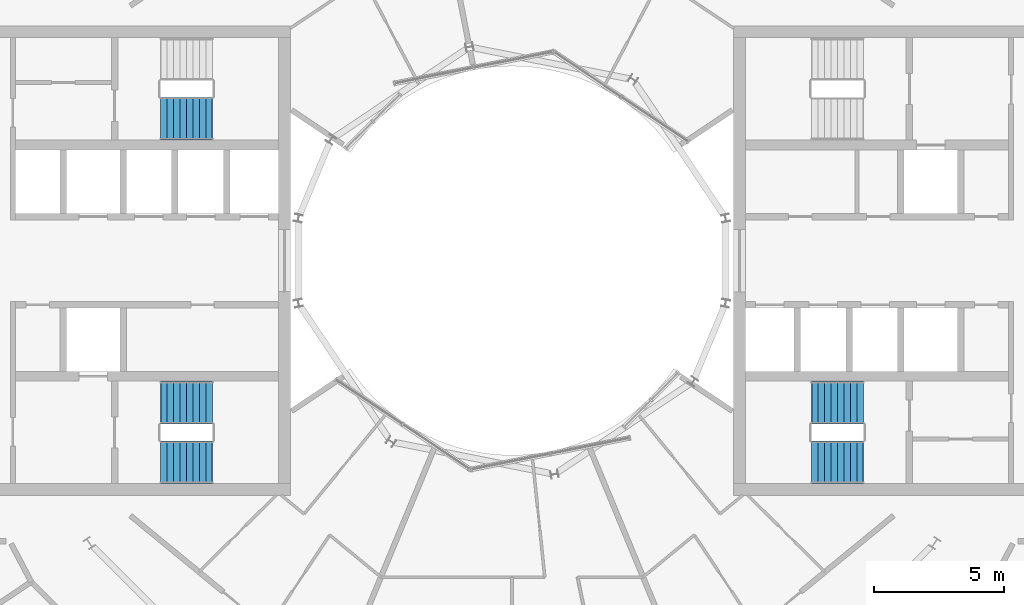
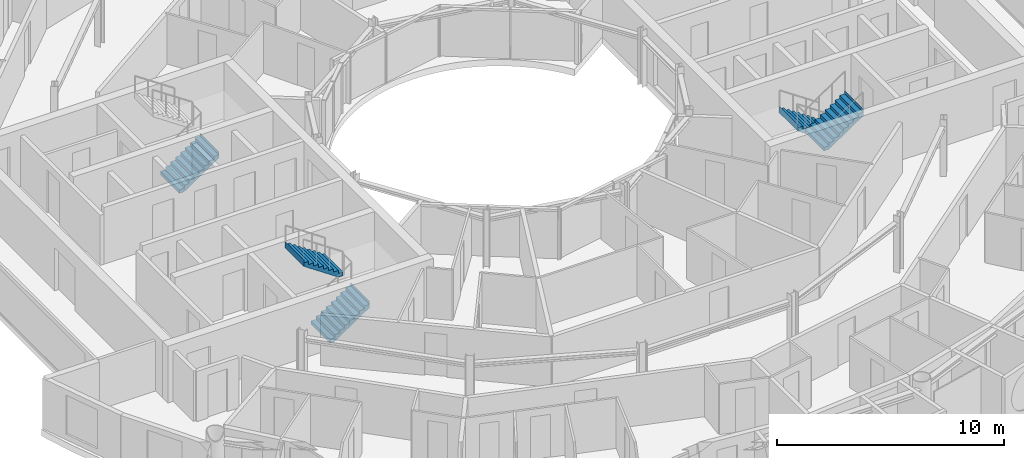
# One storey, part 25 of 28: 5 stair flights, 3 elements without a shape of their own.
"""IFC4 building model written with IfcOpenShell, lengths in metres."""

from ifc_helpers import new_model, si_unit, direction, frame, origin, place, context, subcontext, project, spatial, triangles, material, type_object, element, aggregate, save


model = new_model("IFC4")

# Units and contexts
model_context = context("Model", 3, precision=1e-05, world=origin(), true_north=direction((0.0, 1.0)))
body_context = subcontext(model_context, "Body", "Model", "MODEL_VIEW")
ifc_project = project(units=[si_unit("LENGTHUNIT", "METRE"), si_unit("AREAUNIT", "SQUARE_METRE"), si_unit("VOLUMEUNIT", "CUBIC_METRE"), si_unit("PLANEANGLEUNIT", "RADIAN"), si_unit("MASSUNIT", "GRAM", prefix="KILO")], contexts=[model_context])

# Site, building, storey
site_placement = place(None, origin())
site = spatial("IfcSite", under=ifc_project, at=site_placement, CompositionType="ELEMENT")
building_placement = place(site_placement, origin())
building = spatial("IfcBuilding", under=site, at=building_placement, Name="Maasbend Ring Residences", CompositionType="ELEMENT")
storey_placement = place(building_placement, frame((0.0, 0.0, 196.300048828125)))
storey = spatial("IfcBuildingStorey", under=building, at=storey_placement, Name="L56", CompositionType="ELEMENT", Elevation=196.300048828125)

# Stair, stair flights
ifc_material_1 = material(Name="Concrete C40/50", Category="concrete")
stair_type = type_object("IfcStairType", Name="CORE STAIR 18 RISERS", PredefinedType="HALF_TURN_STAIR", material=ifc_material_1)
stair_1_placement = place(storey_placement, origin())
stair_1 = element("IfcStair", 1, at=stair_1_placement, inside=storey, type_object=stair_type, Name="L56 Exit stair ST-E2", PredefinedType="HALF_TURN_STAIR")
ifc_material_2 = material(Name="Concrete C40/50", Category="concrete")
stair_flight_type = type_object("IfcStairFlightType", Name="CORE STAIR FLIGHT 1650", PredefinedType="STRAIGHT", material=ifc_material_2)
stair_flight_1_placement = place(storey_placement, frame((13.550048828125, -5.47509765625, 0.0), z_axis=(0.0, 0.0, 1.0), x_axis=(-1.0, 0.0, 0.0)))
stair_flight_1 = element("IfcStairFlight", 2, at=stair_flight_1_placement, type_object=stair_flight_type, Name="ST-E2 flight 1", NumberOfRisers=9, NumberOfTreads=8, PredefinedType="STRAIGHT", RiserHeight=0.169444444, TreadLength=0.25, context=body_context, shape_type="Tessellation", body=[
    triangles([(0.24072265625, 0.824951171875, -0.02001953125), (2.0029296875, 0.824951171875, 1.174560546875), (2.0029296875, 0.824951171875, 1.52490234375), (1.989990234375, 0.824951171875, 1.35546875), (1.75, 0.824951171875, 1.35546875), (1.75, 0.824951171875, 1.18603515625), (1.5, 0.824951171875, 1.18603515625), (1.5, 0.824951171875, 1.0166015625), (1.25, 0.824951171875, 1.0166015625), (1.25, 0.824951171875, 0.84716796875), (1.0, 0.824951171875, 0.84716796875), (1.0, 0.824951171875, 0.677734375), (0.75, 0.824951171875, 0.677734375), (0.75, 0.824951171875, 0.50830078125), (0.5, 0.824951171875, 0.50830078125), (0.5, 0.824951171875, 0.3388671875), (0.25, 0.824951171875, 0.3388671875), (0.25, 0.824951171875, 0.16943359375), (0.0, 0.824951171875, 0.16943359375), (0.0, 0.824951171875, 0.0), (-0.0029296875, 0.824951171875, 0.0), (-0.0029296875, 0.824951171875, -0.02001953125), (0.24072265625, 0.27490234375, -0.02001953125), (2.0029296875, 0.27490234375, 1.174560546875), (2.0029296875, 0.27490234375, 1.52490234375), (1.989990234375, 0.27490234375, 1.35546875), (1.75, 0.27490234375, 1.35546875), (1.75, 0.27490234375, 1.18603515625), (1.5, 0.27490234375, 1.18603515625), (1.5, 0.27490234375, 1.0166015625), (1.25, 0.27490234375, 1.0166015625), (1.25, 0.27490234375, 0.84716796875), (1.0, 0.27490234375, 0.84716796875), (1.0, 0.27490234375, 0.677734375), (0.75, 0.27490234375, 0.677734375), (0.75, 0.27490234375, 0.50830078125), (0.5, 0.27490234375, 0.50830078125), (0.5, 0.27490234375, 0.3388671875), (0.25, 0.27490234375, 0.3388671875), (0.25, 0.27490234375, 0.16943359375), (0.0, 0.27490234375, 0.16943359375), (0.0, 0.27490234375, 0.0), (-0.0029296875, 0.27490234375, 0.0), (-0.0029296875, 0.27490234375, -0.02001953125), (0.24072265625, -0.27490234375, -0.02001953125), (2.0029296875, -0.27490234375, 1.174560546875), (2.0029296875, -0.27490234375, 1.52490234375), (1.989990234375, -0.27490234375, 1.35546875), (1.75, -0.27490234375, 1.35546875), (1.75, -0.27490234375, 1.18603515625), (1.5, -0.27490234375, 1.18603515625), (1.5, -0.27490234375, 1.0166015625), (1.25, -0.27490234375, 1.0166015625), (1.25, -0.27490234375, 0.84716796875), (1.0, -0.27490234375, 0.84716796875), (1.0, -0.27490234375, 0.677734375), (0.75, -0.27490234375, 0.677734375), (0.75, -0.27490234375, 0.50830078125), (0.5, -0.27490234375, 0.50830078125), (0.5, -0.27490234375, 0.3388671875), (0.25, -0.27490234375, 0.3388671875), (0.25, -0.27490234375, 0.16943359375), (0.0, -0.27490234375, 0.16943359375), (0.0, -0.27490234375, 0.0), (-0.0029296875, -0.27490234375, 0.0), (-0.0029296875, -0.27490234375, -0.02001953125), (0.24072265625, -0.824951171875, -0.02001953125), (2.0029296875, -0.824951171875, 1.174560546875), (2.0029296875, -0.824951171875, 1.52490234375), (1.989990234375, -0.824951171875, 1.35546875), (1.75, -0.824951171875, 1.35546875), (1.75, -0.824951171875, 1.18603515625), (1.5, -0.824951171875, 1.18603515625), (1.5, -0.824951171875, 1.0166015625), (1.25, -0.824951171875, 1.0166015625), (1.25, -0.824951171875, 0.84716796875), (1.0, -0.824951171875, 0.84716796875), (1.0, -0.824951171875, 0.677734375), (0.75, -0.824951171875, 0.677734375), (0.75, -0.824951171875, 0.50830078125), (0.5, -0.824951171875, 0.50830078125), (0.5, -0.824951171875, 0.3388671875), (0.25, -0.824951171875, 0.3388671875), (0.25, -0.824951171875, 0.16943359375), (0.0, -0.824951171875, 0.16943359375), (0.0, -0.824951171875, 0.0), (-0.0029296875, -0.824951171875, 0.0), (-0.0029296875, -0.824951171875, -0.02001953125)], [[1, 2, 24], [1, 24, 23], [23, 24, 46], [23, 46, 45], [45, 46, 68], [45, 68, 67], [2, 3, 25], [2, 25, 24], [24, 25, 47], [24, 47, 46], [46, 47, 69], [46, 69, 68], [3, 4, 26], [3, 26, 25], [25, 26, 48], [25, 48, 47], [47, 48, 70], [47, 70, 69], [4, 5, 27], [4, 27, 26], [26, 27, 49], [26, 49, 48], [48, 49, 71], [48, 71, 70], [5, 6, 28], [5, 28, 27], [27, 28, 50], [27, 50, 49], [49, 50, 72], [49, 72, 71], [6, 7, 29], [6, 29, 28], [28, 29, 51], [28, 51, 50], [50, 51, 73], [50, 73, 72], [7, 8, 30], [7, 30, 29], [29, 30, 52], [29, 52, 51], [51, 52, 74], [51, 74, 73], [8, 9, 31], [8, 31, 30], [30, 31, 53], [30, 53, 52], [52, 53, 75], [52, 75, 74], [9, 10, 32], [9, 32, 31], [31, 32, 54], [31, 54, 53], [53, 54, 76], [53, 76, 75], [10, 11, 33], [10, 33, 32], [32, 33, 55], [32, 55, 54], [54, 55, 77], [54, 77, 76], [11, 12, 34], [11, 34, 33], [33, 34, 56], [33, 56, 55], [55, 56, 78], [55, 78, 77], [12, 13, 35], [12, 35, 34], [34, 35, 57], [34, 57, 56], [56, 57, 79], [56, 79, 78], [13, 14, 36], [13, 36, 35], [35, 36, 58], [35, 58, 57], [57, 58, 80], [57, 80, 79], [14, 15, 37], [14, 37, 36], [36, 37, 59], [36, 59, 58], [58, 59, 81], [58, 81, 80], [15, 16, 38], [15, 38, 37], [37, 38, 60], [37, 60, 59], [59, 60, 82], [59, 82, 81], [16, 17, 39], [16, 39, 38], [38, 39, 61], [38, 61, 60], [60, 61, 83], [60, 83, 82], [17, 18, 40], [17, 40, 39], [39, 40, 62], [39, 62, 61], [61, 62, 84], [61, 84, 83], [18, 19, 41], [18, 41, 40], [40, 41, 63], [40, 63, 62], [62, 63, 85], [62, 85, 84], [19, 20, 42], [19, 42, 41], [41, 42, 64], [41, 64, 63], [63, 64, 86], [63, 86, 85], [20, 21, 43], [20, 43, 42], [42, 43, 65], [42, 65, 64], [64, 65, 87], [64, 87, 86], [21, 22, 44], [21, 44, 43], [43, 44, 66], [43, 66, 65], [65, 66, 88], [65, 88, 87], [22, 1, 23], [22, 23, 44], [44, 23, 45], [44, 45, 66], [66, 45, 67], [66, 67, 88], [22, 2, 1], [2, 4, 3], [2, 5, 4], [2, 6, 5], [22, 6, 2], [6, 8, 7], [22, 8, 6], [8, 10, 9], [22, 10, 8], [10, 12, 11], [22, 12, 10], [12, 14, 13], [22, 14, 12], [14, 16, 15], [22, 16, 14], [16, 18, 17], [22, 18, 16], [18, 20, 19], [22, 20, 18], [20, 22, 21], [88, 67, 68], [68, 69, 70], [68, 70, 71], [68, 71, 72], [88, 68, 72], [72, 73, 74], [88, 72, 74], [74, 75, 76], [88, 74, 76], [76, 77, 78], [88, 76, 78], [78, 79, 80], [88, 78, 80], [80, 81, 82], [88, 80, 82], [82, 83, 84], [88, 82, 84], [84, 85, 86], [88, 84, 86], [86, 87, 88]], closed=True),
])
stair_flight_2_placement = place(storey_placement, frame((11.550048828125, -7.77490234375, 1.52490234375), z_axis=(0.0, 0.0, 1.0), x_axis=(1.0, 0.0, 0.0)))
stair_flight_2 = element("IfcStairFlight", 3, at=stair_flight_2_placement, type_object=stair_flight_type, Name="ST-E2 flight 2", NumberOfRisers=9, NumberOfTreads=8, PredefinedType="STRAIGHT", RiserHeight=0.169444444, TreadLength=0.25, context=body_context, shape_type="Tessellation", body=[
    triangles([(0.24072265625, 0.824951171875, -0.02001953125), (2.0029296875, 0.824951171875, 1.174560546875), (2.0029296875, 0.824951171875, 1.52490234375), (1.989990234375, 0.824951171875, 1.35546875), (1.75, 0.824951171875, 1.35546875), (1.75, 0.824951171875, 1.18603515625), (1.5, 0.824951171875, 1.18603515625), (1.5, 0.824951171875, 1.0166015625), (1.25, 0.824951171875, 1.0166015625), (1.25, 0.824951171875, 0.84716796875), (1.0, 0.824951171875, 0.84716796875), (1.0, 0.824951171875, 0.677734375), (0.75, 0.824951171875, 0.677734375), (0.75, 0.824951171875, 0.50830078125), (0.5, 0.824951171875, 0.50830078125), (0.5, 0.824951171875, 0.3388671875), (0.25, 0.824951171875, 0.3388671875), (0.25, 0.824951171875, 0.16943359375), (0.0, 0.824951171875, 0.16943359375), (0.0, 0.824951171875, 0.0), (-0.0029296875, 0.824951171875, 0.0), (-0.0029296875, 0.824951171875, -0.02001953125), (0.24072265625, 0.27490234375, -0.02001953125), (2.0029296875, 0.27490234375, 1.174560546875), (2.0029296875, 0.27490234375, 1.52490234375), (1.989990234375, 0.27490234375, 1.35546875), (1.75, 0.27490234375, 1.35546875), (1.75, 0.27490234375, 1.18603515625), (1.5, 0.27490234375, 1.18603515625), (1.5, 0.27490234375, 1.0166015625), (1.25, 0.27490234375, 1.0166015625), (1.25, 0.27490234375, 0.84716796875), (1.0, 0.27490234375, 0.84716796875), (1.0, 0.27490234375, 0.677734375), (0.75, 0.27490234375, 0.677734375), (0.75, 0.27490234375, 0.50830078125), (0.5, 0.27490234375, 0.50830078125), (0.5, 0.27490234375, 0.3388671875), (0.25, 0.27490234375, 0.3388671875), (0.25, 0.27490234375, 0.16943359375), (0.0, 0.27490234375, 0.16943359375), (0.0, 0.27490234375, 0.0), (-0.0029296875, 0.27490234375, 0.0), (-0.0029296875, 0.27490234375, -0.02001953125), (0.24072265625, -0.27490234375, -0.02001953125), (2.0029296875, -0.27490234375, 1.174560546875), (2.0029296875, -0.27490234375, 1.52490234375), (1.989990234375, -0.27490234375, 1.35546875), (1.75, -0.27490234375, 1.35546875), (1.75, -0.27490234375, 1.18603515625), (1.5, -0.27490234375, 1.18603515625), (1.5, -0.27490234375, 1.0166015625), (1.25, -0.27490234375, 1.0166015625), (1.25, -0.27490234375, 0.84716796875), (1.0, -0.27490234375, 0.84716796875), (1.0, -0.27490234375, 0.677734375), (0.75, -0.27490234375, 0.677734375), (0.75, -0.27490234375, 0.50830078125), (0.5, -0.27490234375, 0.50830078125), (0.5, -0.27490234375, 0.3388671875), (0.25, -0.27490234375, 0.3388671875), (0.25, -0.27490234375, 0.16943359375), (0.0, -0.27490234375, 0.16943359375), (0.0, -0.27490234375, 0.0), (-0.0029296875, -0.27490234375, 0.0), (-0.0029296875, -0.27490234375, -0.02001953125), (0.24072265625, -0.824951171875, -0.02001953125), (2.0029296875, -0.824951171875, 1.174560546875), (2.0029296875, -0.824951171875, 1.52490234375), (1.989990234375, -0.824951171875, 1.35546875), (1.75, -0.824951171875, 1.35546875), (1.75, -0.824951171875, 1.18603515625), (1.5, -0.824951171875, 1.18603515625), (1.5, -0.824951171875, 1.0166015625), (1.25, -0.824951171875, 1.0166015625), (1.25, -0.824951171875, 0.84716796875), (1.0, -0.824951171875, 0.84716796875), (1.0, -0.824951171875, 0.677734375), (0.75, -0.824951171875, 0.677734375), (0.75, -0.824951171875, 0.50830078125), (0.5, -0.824951171875, 0.50830078125), (0.5, -0.824951171875, 0.3388671875), (0.25, -0.824951171875, 0.3388671875), (0.25, -0.824951171875, 0.16943359375), (0.0, -0.824951171875, 0.16943359375), (0.0, -0.824951171875, 0.0), (-0.0029296875, -0.824951171875, 0.0), (-0.0029296875, -0.824951171875, -0.02001953125)], [[1, 2, 24], [1, 24, 23], [23, 24, 46], [23, 46, 45], [45, 46, 68], [45, 68, 67], [2, 3, 25], [2, 25, 24], [24, 25, 47], [24, 47, 46], [46, 47, 69], [46, 69, 68], [3, 4, 26], [3, 26, 25], [25, 26, 48], [25, 48, 47], [47, 48, 70], [47, 70, 69], [4, 5, 27], [4, 27, 26], [26, 27, 49], [26, 49, 48], [48, 49, 71], [48, 71, 70], [5, 6, 28], [5, 28, 27], [27, 28, 50], [27, 50, 49], [49, 50, 72], [49, 72, 71], [6, 7, 29], [6, 29, 28], [28, 29, 51], [28, 51, 50], [50, 51, 73], [50, 73, 72], [7, 8, 30], [7, 30, 29], [29, 30, 52], [29, 52, 51], [51, 52, 74], [51, 74, 73], [8, 9, 31], [8, 31, 30], [30, 31, 53], [30, 53, 52], [52, 53, 75], [52, 75, 74], [9, 10, 32], [9, 32, 31], [31, 32, 54], [31, 54, 53], [53, 54, 76], [53, 76, 75], [10, 11, 33], [10, 33, 32], [32, 33, 55], [32, 55, 54], [54, 55, 77], [54, 77, 76], [11, 12, 34], [11, 34, 33], [33, 34, 56], [33, 56, 55], [55, 56, 78], [55, 78, 77], [12, 13, 35], [12, 35, 34], [34, 35, 57], [34, 57, 56], [56, 57, 79], [56, 79, 78], [13, 14, 36], [13, 36, 35], [35, 36, 58], [35, 58, 57], [57, 58, 80], [57, 80, 79], [14, 15, 37], [14, 37, 36], [36, 37, 59], [36, 59, 58], [58, 59, 81], [58, 81, 80], [15, 16, 38], [15, 38, 37], [37, 38, 60], [37, 60, 59], [59, 60, 82], [59, 82, 81], [16, 17, 39], [16, 39, 38], [38, 39, 61], [38, 61, 60], [60, 61, 83], [60, 83, 82], [17, 18, 40], [17, 40, 39], [39, 40, 62], [39, 62, 61], [61, 62, 84], [61, 84, 83], [18, 19, 41], [18, 41, 40], [40, 41, 63], [40, 63, 62], [62, 63, 85], [62, 85, 84], [19, 20, 42], [19, 42, 41], [41, 42, 64], [41, 64, 63], [63, 64, 86], [63, 86, 85], [20, 21, 43], [20, 43, 42], [42, 43, 65], [42, 65, 64], [64, 65, 87], [64, 87, 86], [21, 22, 44], [21, 44, 43], [43, 44, 66], [43, 66, 65], [65, 66, 88], [65, 88, 87], [22, 1, 23], [22, 23, 44], [44, 23, 45], [44, 45, 66], [66, 45, 67], [66, 67, 88], [22, 2, 1], [2, 4, 3], [2, 5, 4], [2, 6, 5], [22, 6, 2], [6, 8, 7], [22, 8, 6], [8, 10, 9], [22, 10, 8], [10, 12, 11], [22, 12, 10], [12, 14, 13], [22, 14, 12], [14, 16, 15], [22, 16, 14], [16, 18, 17], [22, 18, 16], [18, 20, 19], [22, 20, 18], [20, 22, 21], [88, 67, 68], [68, 69, 70], [68, 70, 71], [68, 71, 72], [88, 68, 72], [72, 73, 74], [88, 72, 74], [74, 75, 76], [88, 74, 76], [76, 77, 78], [88, 76, 78], [78, 79, 80], [88, 78, 80], [80, 81, 82], [88, 80, 82], [82, 83, 84], [88, 82, 84], [84, 85, 86], [88, 84, 86], [86, 87, 88]], closed=True),
])
aggregate(stair_1, [stair_flight_1, stair_flight_2])

stair_2_placement = place(storey_placement, origin())
stair_2 = element("IfcStair", 4, at=stair_2_placement, inside=storey, type_object=stair_type, Name="L56 Exit stair ST-W1", PredefinedType="HALF_TURN_STAIR")
stair_flight_3_placement = place(storey_placement, frame((-13.550048828125, -7.77490234375, 0.0), z_axis=(0.0, 0.0, 1.0), x_axis=(1.0, 0.0, 0.0)))
stair_flight_3 = element("IfcStairFlight", 5, at=stair_flight_3_placement, type_object=stair_flight_type, Name="ST-W1 flight 1", NumberOfRisers=9, NumberOfTreads=8, PredefinedType="STRAIGHT", RiserHeight=0.169444444, TreadLength=0.25, context=body_context, shape_type="Tessellation", body=[
    triangles([(0.24072265625, 0.824951171875, -0.02001953125), (2.0029296875, 0.824951171875, 1.174560546875), (2.0029296875, 0.824951171875, 1.52490234375), (1.989990234375, 0.824951171875, 1.35546875), (1.75, 0.824951171875, 1.35546875), (1.75, 0.824951171875, 1.18603515625), (1.5, 0.824951171875, 1.18603515625), (1.5, 0.824951171875, 1.0166015625), (1.25, 0.824951171875, 1.0166015625), (1.25, 0.824951171875, 0.84716796875), (1.0, 0.824951171875, 0.84716796875), (1.0, 0.824951171875, 0.677734375), (0.75, 0.824951171875, 0.677734375), (0.75, 0.824951171875, 0.50830078125), (0.5, 0.824951171875, 0.50830078125), (0.5, 0.824951171875, 0.3388671875), (0.25, 0.824951171875, 0.3388671875), (0.25, 0.824951171875, 0.16943359375), (0.0, 0.824951171875, 0.16943359375), (0.0, 0.824951171875, 0.0), (-0.0029296875, 0.824951171875, 0.0), (-0.0029296875, 0.824951171875, -0.02001953125), (0.24072265625, 0.27490234375, -0.02001953125), (2.0029296875, 0.27490234375, 1.174560546875), (2.0029296875, 0.27490234375, 1.52490234375), (1.989990234375, 0.27490234375, 1.35546875), (1.75, 0.27490234375, 1.35546875), (1.75, 0.27490234375, 1.18603515625), (1.5, 0.27490234375, 1.18603515625), (1.5, 0.27490234375, 1.0166015625), (1.25, 0.27490234375, 1.0166015625), (1.25, 0.27490234375, 0.84716796875), (1.0, 0.27490234375, 0.84716796875), (1.0, 0.27490234375, 0.677734375), (0.75, 0.27490234375, 0.677734375), (0.75, 0.27490234375, 0.50830078125), (0.5, 0.27490234375, 0.50830078125), (0.5, 0.27490234375, 0.3388671875), (0.25, 0.27490234375, 0.3388671875), (0.25, 0.27490234375, 0.16943359375), (0.0, 0.27490234375, 0.16943359375), (0.0, 0.27490234375, 0.0), (-0.0029296875, 0.27490234375, 0.0), (-0.0029296875, 0.27490234375, -0.02001953125), (0.24072265625, -0.27490234375, -0.02001953125), (2.0029296875, -0.27490234375, 1.174560546875), (2.0029296875, -0.27490234375, 1.52490234375), (1.989990234375, -0.27490234375, 1.35546875), (1.75, -0.27490234375, 1.35546875), (1.75, -0.27490234375, 1.18603515625), (1.5, -0.27490234375, 1.18603515625), (1.5, -0.27490234375, 1.0166015625), (1.25, -0.27490234375, 1.0166015625), (1.25, -0.27490234375, 0.84716796875), (1.0, -0.27490234375, 0.84716796875), (1.0, -0.27490234375, 0.677734375), (0.75, -0.27490234375, 0.677734375), (0.75, -0.27490234375, 0.50830078125), (0.5, -0.27490234375, 0.50830078125), (0.5, -0.27490234375, 0.3388671875), (0.25, -0.27490234375, 0.3388671875), (0.25, -0.27490234375, 0.16943359375), (0.0, -0.27490234375, 0.16943359375), (0.0, -0.27490234375, 0.0), (-0.0029296875, -0.27490234375, 0.0), (-0.0029296875, -0.27490234375, -0.02001953125), (0.24072265625, -0.824951171875, -0.02001953125), (2.0029296875, -0.824951171875, 1.174560546875), (2.0029296875, -0.824951171875, 1.52490234375), (1.989990234375, -0.824951171875, 1.35546875), (1.75, -0.824951171875, 1.35546875), (1.75, -0.824951171875, 1.18603515625), (1.5, -0.824951171875, 1.18603515625), (1.5, -0.824951171875, 1.0166015625), (1.25, -0.824951171875, 1.0166015625), (1.25, -0.824951171875, 0.84716796875), (1.0, -0.824951171875, 0.84716796875), (1.0, -0.824951171875, 0.677734375), (0.75, -0.824951171875, 0.677734375), (0.75, -0.824951171875, 0.50830078125), (0.5, -0.824951171875, 0.50830078125), (0.5, -0.824951171875, 0.3388671875), (0.25, -0.824951171875, 0.3388671875), (0.25, -0.824951171875, 0.16943359375), (0.0, -0.824951171875, 0.16943359375), (0.0, -0.824951171875, 0.0), (-0.0029296875, -0.824951171875, 0.0), (-0.0029296875, -0.824951171875, -0.02001953125)], [[1, 2, 24], [1, 24, 23], [23, 24, 46], [23, 46, 45], [45, 46, 68], [45, 68, 67], [2, 3, 25], [2, 25, 24], [24, 25, 47], [24, 47, 46], [46, 47, 69], [46, 69, 68], [3, 4, 26], [3, 26, 25], [25, 26, 48], [25, 48, 47], [47, 48, 70], [47, 70, 69], [4, 5, 27], [4, 27, 26], [26, 27, 49], [26, 49, 48], [48, 49, 71], [48, 71, 70], [5, 6, 28], [5, 28, 27], [27, 28, 50], [27, 50, 49], [49, 50, 72], [49, 72, 71], [6, 7, 29], [6, 29, 28], [28, 29, 51], [28, 51, 50], [50, 51, 73], [50, 73, 72], [7, 8, 30], [7, 30, 29], [29, 30, 52], [29, 52, 51], [51, 52, 74], [51, 74, 73], [8, 9, 31], [8, 31, 30], [30, 31, 53], [30, 53, 52], [52, 53, 75], [52, 75, 74], [9, 10, 32], [9, 32, 31], [31, 32, 54], [31, 54, 53], [53, 54, 76], [53, 76, 75], [10, 11, 33], [10, 33, 32], [32, 33, 55], [32, 55, 54], [54, 55, 77], [54, 77, 76], [11, 12, 34], [11, 34, 33], [33, 34, 56], [33, 56, 55], [55, 56, 78], [55, 78, 77], [12, 13, 35], [12, 35, 34], [34, 35, 57], [34, 57, 56], [56, 57, 79], [56, 79, 78], [13, 14, 36], [13, 36, 35], [35, 36, 58], [35, 58, 57], [57, 58, 80], [57, 80, 79], [14, 15, 37], [14, 37, 36], [36, 37, 59], [36, 59, 58], [58, 59, 81], [58, 81, 80], [15, 16, 38], [15, 38, 37], [37, 38, 60], [37, 60, 59], [59, 60, 82], [59, 82, 81], [16, 17, 39], [16, 39, 38], [38, 39, 61], [38, 61, 60], [60, 61, 83], [60, 83, 82], [17, 18, 40], [17, 40, 39], [39, 40, 62], [39, 62, 61], [61, 62, 84], [61, 84, 83], [18, 19, 41], [18, 41, 40], [40, 41, 63], [40, 63, 62], [62, 63, 85], [62, 85, 84], [19, 20, 42], [19, 42, 41], [41, 42, 64], [41, 64, 63], [63, 64, 86], [63, 86, 85], [20, 21, 43], [20, 43, 42], [42, 43, 65], [42, 65, 64], [64, 65, 87], [64, 87, 86], [21, 22, 44], [21, 44, 43], [43, 44, 66], [43, 66, 65], [65, 66, 88], [65, 88, 87], [22, 1, 23], [22, 23, 44], [44, 23, 45], [44, 45, 66], [66, 45, 67], [66, 67, 88], [22, 2, 1], [2, 4, 3], [2, 5, 4], [2, 6, 5], [22, 6, 2], [6, 8, 7], [22, 8, 6], [8, 10, 9], [22, 10, 8], [10, 12, 11], [22, 12, 10], [12, 14, 13], [22, 14, 12], [14, 16, 15], [22, 16, 14], [16, 18, 17], [22, 18, 16], [18, 20, 19], [22, 20, 18], [20, 22, 21], [88, 67, 68], [68, 69, 70], [68, 70, 71], [68, 71, 72], [88, 68, 72], [72, 73, 74], [88, 72, 74], [74, 75, 76], [88, 74, 76], [76, 77, 78], [88, 76, 78], [78, 79, 80], [88, 78, 80], [80, 81, 82], [88, 80, 82], [82, 83, 84], [88, 82, 84], [84, 85, 86], [88, 84, 86], [86, 87, 88]], closed=True),
])
stair_flight_4_placement = place(storey_placement, frame((-11.550048828125, -5.47509765625, 1.52490234375), z_axis=(0.0, 0.0, 1.0), x_axis=(-1.0, 0.0, 0.0)))
stair_flight_4 = element("IfcStairFlight", 6, at=stair_flight_4_placement, type_object=stair_flight_type, Name="ST-W1 flight 2", NumberOfRisers=9, NumberOfTreads=8, PredefinedType="STRAIGHT", RiserHeight=0.169444444, TreadLength=0.25, context=body_context, shape_type="Tessellation", body=[
    triangles([(0.24072265625, 0.824951171875, -0.02001953125), (2.0029296875, 0.824951171875, 1.174560546875), (2.0029296875, 0.824951171875, 1.52490234375), (1.989990234375, 0.824951171875, 1.35546875), (1.75, 0.824951171875, 1.35546875), (1.75, 0.824951171875, 1.18603515625), (1.5, 0.824951171875, 1.18603515625), (1.5, 0.824951171875, 1.0166015625), (1.25, 0.824951171875, 1.0166015625), (1.25, 0.824951171875, 0.84716796875), (1.0, 0.824951171875, 0.84716796875), (1.0, 0.824951171875, 0.677734375), (0.75, 0.824951171875, 0.677734375), (0.75, 0.824951171875, 0.50830078125), (0.5, 0.824951171875, 0.50830078125), (0.5, 0.824951171875, 0.3388671875), (0.25, 0.824951171875, 0.3388671875), (0.25, 0.824951171875, 0.16943359375), (0.0, 0.824951171875, 0.16943359375), (0.0, 0.824951171875, 0.0), (-0.0029296875, 0.824951171875, 0.0), (-0.0029296875, 0.824951171875, -0.02001953125), (0.24072265625, 0.27490234375, -0.02001953125), (2.0029296875, 0.27490234375, 1.174560546875), (2.0029296875, 0.27490234375, 1.52490234375), (1.989990234375, 0.27490234375, 1.35546875), (1.75, 0.27490234375, 1.35546875), (1.75, 0.27490234375, 1.18603515625), (1.5, 0.27490234375, 1.18603515625), (1.5, 0.27490234375, 1.0166015625), (1.25, 0.27490234375, 1.0166015625), (1.25, 0.27490234375, 0.84716796875), (1.0, 0.27490234375, 0.84716796875), (1.0, 0.27490234375, 0.677734375), (0.75, 0.27490234375, 0.677734375), (0.75, 0.27490234375, 0.50830078125), (0.5, 0.27490234375, 0.50830078125), (0.5, 0.27490234375, 0.3388671875), (0.25, 0.27490234375, 0.3388671875), (0.25, 0.27490234375, 0.16943359375), (0.0, 0.27490234375, 0.16943359375), (0.0, 0.27490234375, 0.0), (-0.0029296875, 0.27490234375, 0.0), (-0.0029296875, 0.27490234375, -0.02001953125), (0.24072265625, -0.27490234375, -0.02001953125), (2.0029296875, -0.27490234375, 1.174560546875), (2.0029296875, -0.27490234375, 1.52490234375), (1.989990234375, -0.27490234375, 1.35546875), (1.75, -0.27490234375, 1.35546875), (1.75, -0.27490234375, 1.18603515625), (1.5, -0.27490234375, 1.18603515625), (1.5, -0.27490234375, 1.0166015625), (1.25, -0.27490234375, 1.0166015625), (1.25, -0.27490234375, 0.84716796875), (1.0, -0.27490234375, 0.84716796875), (1.0, -0.27490234375, 0.677734375), (0.75, -0.27490234375, 0.677734375), (0.75, -0.27490234375, 0.50830078125), (0.5, -0.27490234375, 0.50830078125), (0.5, -0.27490234375, 0.3388671875), (0.25, -0.27490234375, 0.3388671875), (0.25, -0.27490234375, 0.16943359375), (0.0, -0.27490234375, 0.16943359375), (0.0, -0.27490234375, 0.0), (-0.0029296875, -0.27490234375, 0.0), (-0.0029296875, -0.27490234375, -0.02001953125), (0.24072265625, -0.824951171875, -0.02001953125), (2.0029296875, -0.824951171875, 1.174560546875), (2.0029296875, -0.824951171875, 1.52490234375), (1.989990234375, -0.824951171875, 1.35546875), (1.75, -0.824951171875, 1.35546875), (1.75, -0.824951171875, 1.18603515625), (1.5, -0.824951171875, 1.18603515625), (1.5, -0.824951171875, 1.0166015625), (1.25, -0.824951171875, 1.0166015625), (1.25, -0.824951171875, 0.84716796875), (1.0, -0.824951171875, 0.84716796875), (1.0, -0.824951171875, 0.677734375), (0.75, -0.824951171875, 0.677734375), (0.75, -0.824951171875, 0.50830078125), (0.5, -0.824951171875, 0.50830078125), (0.5, -0.824951171875, 0.3388671875), (0.25, -0.824951171875, 0.3388671875), (0.25, -0.824951171875, 0.16943359375), (0.0, -0.824951171875, 0.16943359375), (0.0, -0.824951171875, 0.0), (-0.0029296875, -0.824951171875, 0.0), (-0.0029296875, -0.824951171875, -0.02001953125)], [[1, 2, 24], [1, 24, 23], [23, 24, 46], [23, 46, 45], [45, 46, 68], [45, 68, 67], [2, 3, 25], [2, 25, 24], [24, 25, 47], [24, 47, 46], [46, 47, 69], [46, 69, 68], [3, 4, 26], [3, 26, 25], [25, 26, 48], [25, 48, 47], [47, 48, 70], [47, 70, 69], [4, 5, 27], [4, 27, 26], [26, 27, 49], [26, 49, 48], [48, 49, 71], [48, 71, 70], [5, 6, 28], [5, 28, 27], [27, 28, 50], [27, 50, 49], [49, 50, 72], [49, 72, 71], [6, 7, 29], [6, 29, 28], [28, 29, 51], [28, 51, 50], [50, 51, 73], [50, 73, 72], [7, 8, 30], [7, 30, 29], [29, 30, 52], [29, 52, 51], [51, 52, 74], [51, 74, 73], [8, 9, 31], [8, 31, 30], [30, 31, 53], [30, 53, 52], [52, 53, 75], [52, 75, 74], [9, 10, 32], [9, 32, 31], [31, 32, 54], [31, 54, 53], [53, 54, 76], [53, 76, 75], [10, 11, 33], [10, 33, 32], [32, 33, 55], [32, 55, 54], [54, 55, 77], [54, 77, 76], [11, 12, 34], [11, 34, 33], [33, 34, 56], [33, 56, 55], [55, 56, 78], [55, 78, 77], [12, 13, 35], [12, 35, 34], [34, 35, 57], [34, 57, 56], [56, 57, 79], [56, 79, 78], [13, 14, 36], [13, 36, 35], [35, 36, 58], [35, 58, 57], [57, 58, 80], [57, 80, 79], [14, 15, 37], [14, 37, 36], [36, 37, 59], [36, 59, 58], [58, 59, 81], [58, 81, 80], [15, 16, 38], [15, 38, 37], [37, 38, 60], [37, 60, 59], [59, 60, 82], [59, 82, 81], [16, 17, 39], [16, 39, 38], [38, 39, 61], [38, 61, 60], [60, 61, 83], [60, 83, 82], [17, 18, 40], [17, 40, 39], [39, 40, 62], [39, 62, 61], [61, 62, 84], [61, 84, 83], [18, 19, 41], [18, 41, 40], [40, 41, 63], [40, 63, 62], [62, 63, 85], [62, 85, 84], [19, 20, 42], [19, 42, 41], [41, 42, 64], [41, 64, 63], [63, 64, 86], [63, 86, 85], [20, 21, 43], [20, 43, 42], [42, 43, 65], [42, 65, 64], [64, 65, 87], [64, 87, 86], [21, 22, 44], [21, 44, 43], [43, 44, 66], [43, 66, 65], [65, 66, 88], [65, 88, 87], [22, 1, 23], [22, 23, 44], [44, 23, 45], [44, 45, 66], [66, 45, 67], [66, 67, 88], [22, 2, 1], [2, 4, 3], [2, 5, 4], [2, 6, 5], [22, 6, 2], [6, 8, 7], [22, 8, 6], [8, 10, 9], [22, 10, 8], [10, 12, 11], [22, 12, 10], [12, 14, 13], [22, 14, 12], [14, 16, 15], [22, 16, 14], [16, 18, 17], [22, 18, 16], [18, 20, 19], [22, 20, 18], [20, 22, 21], [88, 67, 68], [68, 69, 70], [68, 70, 71], [68, 71, 72], [88, 68, 72], [72, 73, 74], [88, 72, 74], [74, 75, 76], [88, 74, 76], [76, 77, 78], [88, 76, 78], [78, 79, 80], [88, 78, 80], [80, 81, 82], [88, 80, 82], [82, 83, 84], [88, 82, 84], [84, 85, 86], [88, 84, 86], [86, 87, 88]], closed=True),
])
aggregate(stair_2, [stair_flight_3, stair_flight_4])

# Stair, stair flight
stair_3_placement = place(storey_placement, origin())
stair_3 = element("IfcStair", 7, at=stair_3_placement, inside=storey, type_object=stair_type, Name="L56 Exit stair ST-W2", PredefinedType="HALF_TURN_STAIR")
stair_flight_5_placement = place(storey_placement, frame((-13.550048828125, 5.47509765625, 0.0), z_axis=(0.0, 0.0, 1.0), x_axis=(1.0, 0.0, 0.0)))
stair_flight_5 = element("IfcStairFlight", 8, at=stair_flight_5_placement, type_object=stair_flight_type, Name="ST-W2 flight 1", NumberOfRisers=9, NumberOfTreads=8, PredefinedType="STRAIGHT", RiserHeight=0.169444444, TreadLength=0.25, context=body_context, shape_type="Tessellation", body=[
    triangles([(0.24072265625, 0.824951171875, -0.02001953125), (2.0029296875, 0.824951171875, 1.174560546875), (2.0029296875, 0.824951171875, 1.52490234375), (1.989990234375, 0.824951171875, 1.35546875), (1.75, 0.824951171875, 1.35546875), (1.75, 0.824951171875, 1.18603515625), (1.5, 0.824951171875, 1.18603515625), (1.5, 0.824951171875, 1.0166015625), (1.25, 0.824951171875, 1.0166015625), (1.25, 0.824951171875, 0.84716796875), (1.0, 0.824951171875, 0.84716796875), (1.0, 0.824951171875, 0.677734375), (0.75, 0.824951171875, 0.677734375), (0.75, 0.824951171875, 0.50830078125), (0.5, 0.824951171875, 0.50830078125), (0.5, 0.824951171875, 0.3388671875), (0.25, 0.824951171875, 0.3388671875), (0.25, 0.824951171875, 0.16943359375), (0.0, 0.824951171875, 0.16943359375), (0.0, 0.824951171875, 0.0), (-0.0029296875, 0.824951171875, 0.0), (-0.0029296875, 0.824951171875, -0.02001953125), (0.24072265625, 0.27490234375, -0.02001953125), (2.0029296875, 0.27490234375, 1.174560546875), (2.0029296875, 0.27490234375, 1.52490234375), (1.989990234375, 0.27490234375, 1.35546875), (1.75, 0.27490234375, 1.35546875), (1.75, 0.27490234375, 1.18603515625), (1.5, 0.27490234375, 1.18603515625), (1.5, 0.27490234375, 1.0166015625), (1.25, 0.27490234375, 1.0166015625), (1.25, 0.27490234375, 0.84716796875), (1.0, 0.27490234375, 0.84716796875), (1.0, 0.27490234375, 0.677734375), (0.75, 0.27490234375, 0.677734375), (0.75, 0.27490234375, 0.50830078125), (0.5, 0.27490234375, 0.50830078125), (0.5, 0.27490234375, 0.3388671875), (0.25, 0.27490234375, 0.3388671875), (0.25, 0.27490234375, 0.16943359375), (0.0, 0.27490234375, 0.16943359375), (0.0, 0.27490234375, 0.0), (-0.0029296875, 0.27490234375, 0.0), (-0.0029296875, 0.27490234375, -0.02001953125), (0.24072265625, -0.27490234375, -0.02001953125), (2.0029296875, -0.27490234375, 1.174560546875), (2.0029296875, -0.27490234375, 1.52490234375), (1.989990234375, -0.27490234375, 1.35546875), (1.75, -0.27490234375, 1.35546875), (1.75, -0.27490234375, 1.18603515625), (1.5, -0.27490234375, 1.18603515625), (1.5, -0.27490234375, 1.0166015625), (1.25, -0.27490234375, 1.0166015625), (1.25, -0.27490234375, 0.84716796875), (1.0, -0.27490234375, 0.84716796875), (1.0, -0.27490234375, 0.677734375), (0.75, -0.27490234375, 0.677734375), (0.75, -0.27490234375, 0.50830078125), (0.5, -0.27490234375, 0.50830078125), (0.5, -0.27490234375, 0.3388671875), (0.25, -0.27490234375, 0.3388671875), (0.25, -0.27490234375, 0.16943359375), (0.0, -0.27490234375, 0.16943359375), (0.0, -0.27490234375, 0.0), (-0.0029296875, -0.27490234375, 0.0), (-0.0029296875, -0.27490234375, -0.02001953125), (0.24072265625, -0.824951171875, -0.02001953125), (2.0029296875, -0.824951171875, 1.174560546875), (2.0029296875, -0.824951171875, 1.52490234375), (1.989990234375, -0.824951171875, 1.35546875), (1.75, -0.824951171875, 1.35546875), (1.75, -0.824951171875, 1.18603515625), (1.5, -0.824951171875, 1.18603515625), (1.5, -0.824951171875, 1.0166015625), (1.25, -0.824951171875, 1.0166015625), (1.25, -0.824951171875, 0.84716796875), (1.0, -0.824951171875, 0.84716796875), (1.0, -0.824951171875, 0.677734375), (0.75, -0.824951171875, 0.677734375), (0.75, -0.824951171875, 0.50830078125), (0.5, -0.824951171875, 0.50830078125), (0.5, -0.824951171875, 0.3388671875), (0.25, -0.824951171875, 0.3388671875), (0.25, -0.824951171875, 0.16943359375), (0.0, -0.824951171875, 0.16943359375), (0.0, -0.824951171875, 0.0), (-0.0029296875, -0.824951171875, 0.0), (-0.0029296875, -0.824951171875, -0.02001953125)], [[1, 2, 24], [1, 24, 23], [23, 24, 46], [23, 46, 45], [45, 46, 68], [45, 68, 67], [2, 3, 25], [2, 25, 24], [24, 25, 47], [24, 47, 46], [46, 47, 69], [46, 69, 68], [3, 4, 26], [3, 26, 25], [25, 26, 48], [25, 48, 47], [47, 48, 70], [47, 70, 69], [4, 5, 27], [4, 27, 26], [26, 27, 49], [26, 49, 48], [48, 49, 71], [48, 71, 70], [5, 6, 28], [5, 28, 27], [27, 28, 50], [27, 50, 49], [49, 50, 72], [49, 72, 71], [6, 7, 29], [6, 29, 28], [28, 29, 51], [28, 51, 50], [50, 51, 73], [50, 73, 72], [7, 8, 30], [7, 30, 29], [29, 30, 52], [29, 52, 51], [51, 52, 74], [51, 74, 73], [8, 9, 31], [8, 31, 30], [30, 31, 53], [30, 53, 52], [52, 53, 75], [52, 75, 74], [9, 10, 32], [9, 32, 31], [31, 32, 54], [31, 54, 53], [53, 54, 76], [53, 76, 75], [10, 11, 33], [10, 33, 32], [32, 33, 55], [32, 55, 54], [54, 55, 77], [54, 77, 76], [11, 12, 34], [11, 34, 33], [33, 34, 56], [33, 56, 55], [55, 56, 78], [55, 78, 77], [12, 13, 35], [12, 35, 34], [34, 35, 57], [34, 57, 56], [56, 57, 79], [56, 79, 78], [13, 14, 36], [13, 36, 35], [35, 36, 58], [35, 58, 57], [57, 58, 80], [57, 80, 79], [14, 15, 37], [14, 37, 36], [36, 37, 59], [36, 59, 58], [58, 59, 81], [58, 81, 80], [15, 16, 38], [15, 38, 37], [37, 38, 60], [37, 60, 59], [59, 60, 82], [59, 82, 81], [16, 17, 39], [16, 39, 38], [38, 39, 61], [38, 61, 60], [60, 61, 83], [60, 83, 82], [17, 18, 40], [17, 40, 39], [39, 40, 62], [39, 62, 61], [61, 62, 84], [61, 84, 83], [18, 19, 41], [18, 41, 40], [40, 41, 63], [40, 63, 62], [62, 63, 85], [62, 85, 84], [19, 20, 42], [19, 42, 41], [41, 42, 64], [41, 64, 63], [63, 64, 86], [63, 86, 85], [20, 21, 43], [20, 43, 42], [42, 43, 65], [42, 65, 64], [64, 65, 87], [64, 87, 86], [21, 22, 44], [21, 44, 43], [43, 44, 66], [43, 66, 65], [65, 66, 88], [65, 88, 87], [22, 1, 23], [22, 23, 44], [44, 23, 45], [44, 45, 66], [66, 45, 67], [66, 67, 88], [22, 2, 1], [2, 4, 3], [2, 5, 4], [2, 6, 5], [22, 6, 2], [6, 8, 7], [22, 8, 6], [8, 10, 9], [22, 10, 8], [10, 12, 11], [22, 12, 10], [12, 14, 13], [22, 14, 12], [14, 16, 15], [22, 16, 14], [16, 18, 17], [22, 18, 16], [18, 20, 19], [22, 20, 18], [20, 22, 21], [88, 67, 68], [68, 69, 70], [68, 70, 71], [68, 71, 72], [88, 68, 72], [72, 73, 74], [88, 72, 74], [74, 75, 76], [88, 74, 76], [76, 77, 78], [88, 76, 78], [78, 79, 80], [88, 78, 80], [80, 81, 82], [88, 80, 82], [82, 83, 84], [88, 82, 84], [84, 85, 86], [88, 84, 86], [86, 87, 88]], closed=True),
])
aggregate(stair_3, [stair_flight_5])

save(model, "model.ifc")
